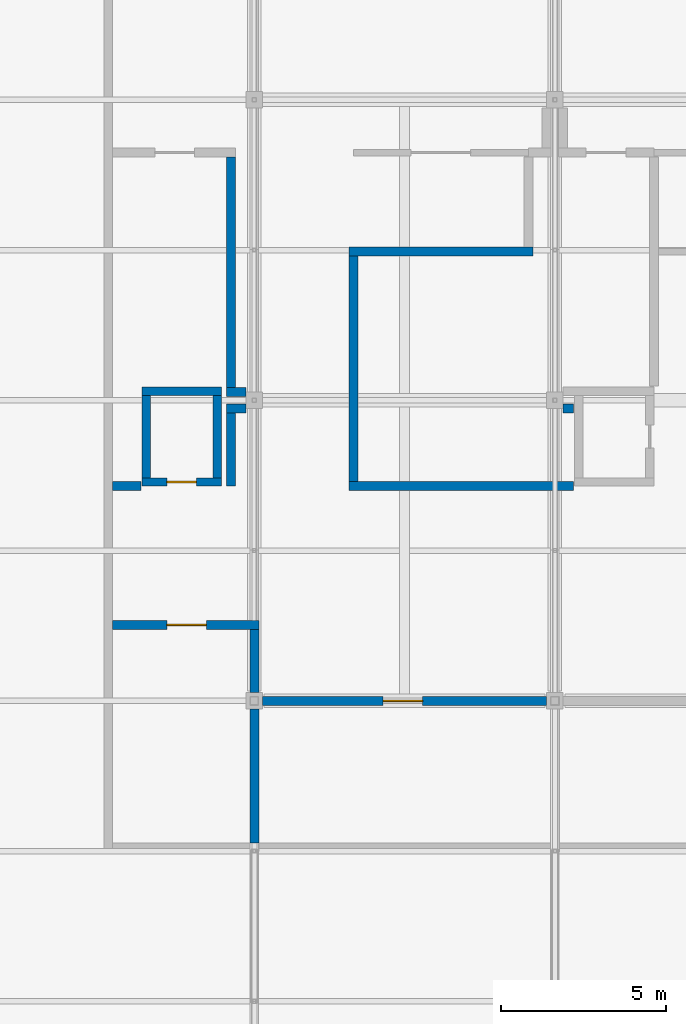
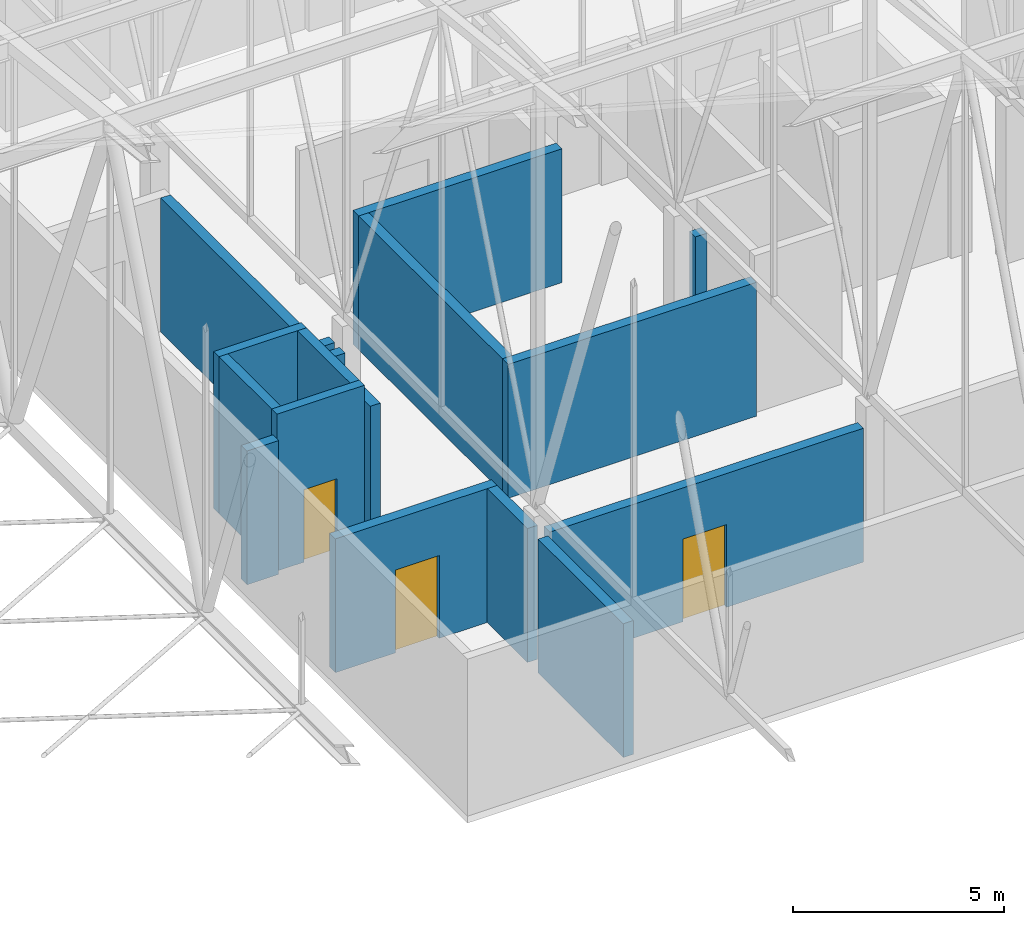
# One storey, part 432 of 500: 17 walls, 3 doors, 3 openings.
"""IFC4 building model written with IfcOpenShell, lengths in metres."""

from ifc_helpers import new_model, si_unit, direction, frame, frame_2d, origin, place, context, subcontext, project, spatial, rectangle, extrude, material, layer, layer_set, type_object, element, fill, save


model = new_model("IFC4")

# Units and contexts
model_context = context("Model", 3, precision=1e-05, world=origin(), true_north=direction((0.0, 1.0)))
body_context = subcontext(model_context, "Body", "Model", "MODEL_VIEW")
ifc_project = project(units=[si_unit("LENGTHUNIT", "METRE"), si_unit("AREAUNIT", "SQUARE_METRE"), si_unit("VOLUMEUNIT", "CUBIC_METRE"), si_unit("PLANEANGLEUNIT", "RADIAN"), si_unit("MASSUNIT", "GRAM", prefix="KILO")], contexts=[model_context])

# Site, building, storey
site_placement = place(None, origin())
site = spatial("IfcSite", under=ifc_project, at=site_placement, CompositionType="ELEMENT")
building_placement = place(site_placement, origin())
building = spatial("IfcBuilding", under=site, at=building_placement, Name="Shirokan Park Arena", CompositionType="ELEMENT")
storey_placement = place(building_placement, frame((0.0, 0.0, 29.1201171875)))
storey = spatial("IfcBuildingStorey", under=building, at=storey_placement, Name="L06", CompositionType="ELEMENT", Elevation=29.1201171875)

# Wall, opening, door
ifc_material_1 = material(Name="Plaster")
ifc_layer_1 = layer(ifc_material_1, 0.012451171875, Name="Plaster")
ifc_material_2 = material(Name="Concrete blockwork", Category="masonry")
ifc_layer_2 = layer(ifc_material_2, 0.25, Name="Concrete blockwork 250")
ifc_layer_3 = layer(ifc_material_1, 0.012451171875, Name="Plaster")
ifc_layer_set_1 = layer_set([ifc_layer_1, ifc_layer_2, ifc_layer_3], Name="Plaster + Concrete blockwork 250")
wall_type_1 = type_object("IfcWallType", Name="Plant room wall 275", PredefinedType="SOLIDWALL", material=ifc_layer_set_1)
wall_1_placement = place(storey_placement, frame((104.89990234375, 75.10009765625, 0.0), z_axis=(0.0, 0.0, 1.0), x_axis=(1.0, 0.0, 0.0)))
wall_1 = element("IfcWall", 1, at=wall_1_placement, inside=storey, type_object=wall_type_1, Name="Plant room wall 275 L06", PredefinedType="SOLIDWALL", context=body_context, shape_type="SweptSolid", body=[
    extrude(rectangle(XDim=4.4375, YDim=0.27490234375, at=frame_2d((2.21875, 0.0))), origin(), (0.0, 0.0, 1.0), 3.8798828125),
])
opening_1_placement = place(wall_1_placement, frame((1.64990234375, 0.0, 0.0)))
opening_1 = element("IfcOpeningElement", 2, at=opening_1_placement, cuts=wall_1, Name="Opening D-6031", PredefinedType="OPENING", context=body_context, shape_type="SweptSolid", body=[
    extrude(rectangle(XDim=1.199951171875, YDim=2.39990234375, at=frame_2d((0.60009765625, 1.199951171875))), frame((0.0, 0.1474609375, 0.0), z_axis=(0.0, -1.0, 0.0), x_axis=(1.0, 0.0, 0.0)), (0.0, 0.0, 1.0), 0.294921875),
])
ifc_material_3 = material(Name="Louvred steel door set, fire resisting", Category="steel")
door_type_1 = type_object("IfcDoorType", Name="Plant room door 1200 x 2400", OperationType="SINGLE_SWING_LEFT", PredefinedType="DOOR", material=ifc_material_3)
door_1_placement = place(opening_1_placement, origin())
door_1 = element("IfcDoor", 3, at=door_1_placement, inside=storey, type_object=door_type_1, Name="Door to Roof Maintenance Plant Room 6.33 D-6031", OperationType="SINGLE_SWING_RIGHT", OverallHeight=2.39990234375, OverallWidth=1.199951171875, PredefinedType="DOOR", context=body_context, shape_type="SweptSolid", body=[
    extrude(rectangle(XDim=1.199951171875, YDim=2.39990234375, at=frame_2d((0.60009765625, 1.199951171875))), frame((0.0, 0.02490234375, 0.0), z_axis=(0.0, -1.0, 0.0), x_axis=(1.0, 0.0, 0.0)), (0.0, 0.0, 1.0), 0.050048828125),
])
fill(opening_1, door_1)

# Walls
wall_2_placement = place(storey_placement, frame((105.77001953125, 79.300048828125, 0.0), z_axis=(0.0, 0.0, 1.0), x_axis=(-1.0, 0.0, 0.0)))
element("IfcWall", 4, at=wall_2_placement, inside=storey, type_object=wall_type_1, Name="Plant room wall 275 L06", PredefinedType="SOLIDWALL", context=body_context, shape_type="SweptSolid", body=[
    extrude(rectangle(XDim=0.8701171875, YDim=0.27490234375, at=frame_2d((0.43505859375, 0.0))), origin(), (0.0, 0.0, 1.0), 3.8798828125),
])
wall_3_placement = place(storey_placement, frame((108.362548828125, 81.64990234375, 0.0), z_axis=(0.0, 0.0, 1.0), x_axis=(1.0, 0.0, 0.0)))
element("IfcWall", 5, at=wall_3_placement, inside=storey, type_object=wall_type_1, Name="Plant room wall 275 L06", PredefinedType="SOLIDWALL", context=body_context, shape_type="SweptSolid", body=[
    extrude(rectangle(XDim=0.58740234375, YDim=0.27490234375, at=frame_2d((0.293701171875, 0.0))), origin(), (0.0, 0.0, 1.0), 3.8798828125),
])
wall_4_placement = place(storey_placement, frame((108.5, 79.300048828125, 0.0), z_axis=(0.0, 0.0, 1.0), x_axis=(0.0, 1.0, 0.0)))
element("IfcWall", 6, at=wall_4_placement, inside=storey, type_object=wall_type_1, Name="Plant room wall 275 L06", PredefinedType="SOLIDWALL", context=body_context, shape_type="SweptSolid", body=[
    extrude(rectangle(XDim=2.21240234375, YDim=0.27490234375, at=frame_2d((1.106201171875, 0.0))), origin(), (0.0, 0.0, 1.0), 3.8798828125),
])
wall_5_placement = place(storey_placement, frame((108.5, 82.28759765625, 0.0), z_axis=(0.0, 0.0, 1.0), x_axis=(0.0, 1.0, 0.0)))
element("IfcWall", 7, at=wall_5_placement, inside=storey, type_object=wall_type_1, Name="Plant room wall 275 L06", PredefinedType="SOLIDWALL", context=body_context, shape_type="SweptSolid", body=[
    extrude(rectangle(XDim=6.974853515625, YDim=0.27490234375, at=frame_2d((3.4873046875, 0.0))), origin(), (0.0, 0.0, 1.0), 3.8798828125),
])
wall_6_placement = place(storey_placement, frame((108.949951171875, 82.14990234375, 0.0), z_axis=(0.0, 0.0, 1.0), x_axis=(-1.0, 0.0, 0.0)))
element("IfcWall", 8, at=wall_6_placement, inside=storey, type_object=wall_type_1, Name="Plant room wall 275 L06", PredefinedType="SOLIDWALL", context=body_context, shape_type="SweptSolid", body=[
    extrude(rectangle(XDim=0.58740234375, YDim=0.27490234375, at=frame_2d((0.293701171875, 0.0))), origin(), (0.0, 0.0, 1.0), 3.8798828125),
])
wall_7_placement = place(storey_placement, frame((109.199951171875, 68.5, 0.0), z_axis=(0.0, 0.0, 1.0), x_axis=(0.0, 1.0, 0.0)))
element("IfcWall", 9, at=wall_7_placement, inside=storey, type_object=wall_type_1, Name="Plant room wall 275 L06", PredefinedType="SOLIDWALL", context=body_context, shape_type="SweptSolid", body=[
    extrude(rectangle(XDim=4.050048828125, YDim=0.27490234375, at=frame_2d((2.02490234375, 0.0))), origin(), (0.0, 0.0, 1.0), 3.8798828125),
])
wall_8_placement = place(storey_placement, frame((109.199951171875, 74.96240234375, 0.0), z_axis=(0.0, 0.0, 1.0), x_axis=(0.0, -1.0, 0.0)))
element("IfcWall", 10, at=wall_8_placement, inside=storey, type_object=wall_type_1, Name="Plant room wall 275 L06", PredefinedType="SOLIDWALL", context=body_context, shape_type="SweptSolid", body=[
    extrude(rectangle(XDim=1.912353515625, YDim=0.27490234375, at=frame_2d((0.9560546875, 0.0))), origin(), (0.0, 0.0, 1.0), 3.8798828125),
])

# Wall, opening, door
wall_9_placement = place(storey_placement, frame((109.449951171875, 72.800048828125, 0.0), z_axis=(0.0, 0.0, 1.0), x_axis=(1.0, 0.0, 0.0)))
wall_9 = element("IfcWall", 11, at=wall_9_placement, inside=storey, type_object=wall_type_1, Name="Plant room wall 275 L06", PredefinedType="SOLIDWALL", context=body_context, shape_type="SweptSolid", body=[
    extrude(rectangle(XDim=8.60009765625, YDim=0.27490234375, at=frame_2d((4.300048828125, 0.0))), origin(), (0.0, 0.0, 1.0), 3.8798828125),
])
opening_2_placement = place(wall_9_placement, frame((3.64990234375, 0.0, 0.0)))
opening_2 = element("IfcOpeningElement", 12, at=opening_2_placement, cuts=wall_9, Name="Opening D-6030", PredefinedType="OPENING", context=body_context, shape_type="SweptSolid", body=[
    extrude(rectangle(XDim=1.199951171875, YDim=2.39990234375, at=frame_2d((0.60009765625, 1.199951171875))), frame((0.0, 0.1474609375, 0.0), z_axis=(0.0, -1.0, 0.0), x_axis=(1.0, 0.0, 0.0)), (0.0, 0.0, 1.0), 0.294921875),
])
door_2_placement = place(opening_2_placement, origin())
door_2 = element("IfcDoor", 13, at=door_2_placement, inside=storey, type_object=door_type_1, Name="Door to Air Handling Plant Room 6.32 D-6030", OperationType="SINGLE_SWING_LEFT", OverallHeight=2.39990234375, OverallWidth=1.199951171875, PredefinedType="DOOR", context=body_context, shape_type="SweptSolid", body=[
    extrude(rectangle(XDim=1.199951171875, YDim=2.39990234375, at=frame_2d((0.60009765625, 1.199951171875))), frame((0.0, 0.02490234375, 0.0), z_axis=(0.0, -1.0, 0.0), x_axis=(1.0, 0.0, 0.0)), (0.0, 0.0, 1.0), 0.050048828125),
])
fill(opening_2, door_2)

# Walls
wall_10_placement = place(storey_placement, frame((112.0625, 86.39990234375, 0.0), z_axis=(0.0, 0.0, 1.0), x_axis=(1.0, 0.0, 0.0)))
element("IfcWall", 14, at=wall_10_placement, inside=storey, type_object=wall_type_1, Name="Plant room wall 275 L06", PredefinedType="SOLIDWALL", context=body_context, shape_type="SweptSolid", body=[
    extrude(rectangle(XDim=5.574951171875, YDim=0.27490234375, at=frame_2d((2.78759765625, 0.0))), origin(), (0.0, 0.0, 1.0), 3.8798828125),
])
wall_11_placement = place(storey_placement, frame((112.199951171875, 79.4375, 0.0), z_axis=(0.0, 0.0, 1.0), x_axis=(0.0, 1.0, 0.0)))
element("IfcWall", 15, at=wall_11_placement, inside=storey, type_object=wall_type_1, Name="Plant room wall 275 L06", PredefinedType="SOLIDWALL", context=body_context, shape_type="SweptSolid", body=[
    extrude(rectangle(XDim=6.824951171875, YDim=0.27490234375, at=frame_2d((3.41259765625, 0.0))), origin(), (0.0, 0.0, 1.0), 3.8798828125),
])
wall_12_placement = place(storey_placement, frame((112.0625, 79.300048828125, 0.0), z_axis=(0.0, 0.0, 1.0), x_axis=(1.0, 0.0, 0.0)))
element("IfcWall", 16, at=wall_12_placement, inside=storey, type_object=wall_type_1, Name="Plant room wall 275 L06", PredefinedType="SOLIDWALL", context=body_context, shape_type="SweptSolid", body=[
    extrude(rectangle(XDim=6.8076171875, YDim=0.27490234375, at=frame_2d((3.40380859375, 0.0))), origin(), (0.0, 0.0, 1.0), 3.8798828125),
])
wall_13_placement = place(storey_placement, frame((118.550048828125, 81.64990234375, 0.0), z_axis=(0.0, 0.0, 1.0), x_axis=(1.0, 0.0, 0.0)))
element("IfcWall", 17, at=wall_13_placement, inside=storey, type_object=wall_type_1, Name="Plant room wall 275 L06", PredefinedType="SOLIDWALL", context=body_context, shape_type="SweptSolid", body=[
    extrude(rectangle(XDim=0.320068359375, YDim=0.27490234375, at=frame_2d((0.16015625, 0.0))), origin(), (0.0, 0.0, 1.0), 3.8798828125),
])

# Wall, opening, door
ifc_material_4 = material(Name="Concrete C40/50", Category="concrete")
ifc_layer_4 = layer(ifc_material_4, 0.25)
ifc_layer_set_2 = layer_set([ifc_layer_4], Name="Concrete C40/50 250 mm")
wall_type_2 = type_object("IfcWallType", Name="RC shear wall 250", PredefinedType="SHEAR", material=ifc_layer_set_2)
wall_14_placement = place(storey_placement, frame((108.199951171875, 79.425048828125, 0.0), z_axis=(0.0, 0.0, 1.0), x_axis=(-1.0, 0.0, 0.0)))
wall_14 = element("IfcWall", 18, at=wall_14_placement, inside=storey, type_object=wall_type_2, Name="Shaft wall Services Riser 3.1 S L06", PredefinedType="SHEAR", context=body_context, shape_type="SweptSolid", body=[
    extrude(rectangle(XDim=2.39990234375, YDim=0.25, at=frame_2d((1.199951171875, 0.0))), origin(), (0.0, 0.0, 1.0), 4.5498046875),
])
opening_3_placement = place(wall_14_placement, frame((0.75, 0.0, 0.0)))
opening_3 = element("IfcOpeningElement", 19, at=opening_3_placement, cuts=wall_14, Name="Opening D-6064", PredefinedType="OPENING", context=body_context, shape_type="SweptSolid", body=[
    extrude(rectangle(XDim=0.89990234375, YDim=2.10009765625, at=frame_2d((0.449951171875, 1.050048828125))), frame((0.0, 0.135009765625, 0.0), z_axis=(0.0, -1.0, 0.0), x_axis=(1.0, 0.0, 0.0)), (0.0, 0.0, 1.0), 0.27001953125),
])
ifc_material_5 = material(Name="Steel door set, fire resisting", Category="steel")
door_type_2 = type_object("IfcDoorType", Name="Electrical riser door 900 x 2100", OperationType="SINGLE_SWING_LEFT", PredefinedType="DOOR", material=ifc_material_5)
door_3_placement = place(opening_3_placement, origin())
door_3 = element("IfcDoor", 20, at=door_3_placement, inside=storey, type_object=door_type_2, Name="Riser access door Services Riser 3.1 D-6064", OperationType="SINGLE_SWING_LEFT", OverallHeight=2.10009765625, OverallWidth=0.89990234375, PredefinedType="DOOR", context=body_context, shape_type="SweptSolid", body=[
    extrude(rectangle(XDim=0.89990234375, YDim=2.10009765625, at=frame_2d((0.449951171875, 1.050048828125))), frame((0.0, 0.02490234375, 0.0), z_axis=(0.0, -1.0, 0.0), x_axis=(1.0, 0.0, 0.0)), (0.0, 0.0, 1.0), 0.050048828125),
])
fill(opening_3, door_3)

# Walls
wall_15_placement = place(storey_placement, frame((108.199951171875, 82.175048828125, 0.0), z_axis=(0.0, 0.0, 1.0), x_axis=(-1.0, 0.0, 0.0)))
element("IfcWall", 21, at=wall_15_placement, inside=storey, type_object=wall_type_2, Name="Shaft wall Services Riser 3.1 N L06", PredefinedType="SHEAR", context=body_context, shape_type="SweptSolid", body=[
    extrude(rectangle(XDim=2.39990234375, YDim=0.25, at=frame_2d((1.199951171875, 0.0))), origin(), (0.0, 0.0, 1.0), 4.5498046875),
])
for number, where, z_axis, x_axis, name in (
    (22, (105.925048828125, 82.050048828125, 0.0), (0.0, 0.0, 1.0), (0.0, -1.0, 0.0), "Shaft wall Services Riser 3.1 W L06"),
    (23, (108.074951171875, 82.050048828125, 0.0), (0.0, 0.0, 1.0), (0.0, -1.0, 0.0), "Shaft wall Services Riser 3.1 E L06"),
):
    element("IfcWall", number, at=place(storey_placement, frame(where, z_axis=z_axis, x_axis=x_axis)), inside=storey, type_object=wall_type_2, Name=name, PredefinedType="SHEAR", context=body_context, shape_type="SweptSolid", body=[
        extrude(rectangle(XDim=2.5, YDim=0.25, at=frame_2d((1.25, 0.0))), origin(), (0.0, 0.0, 1.0), 4.5498046875),
    ])

save(model, "model.ifc")
